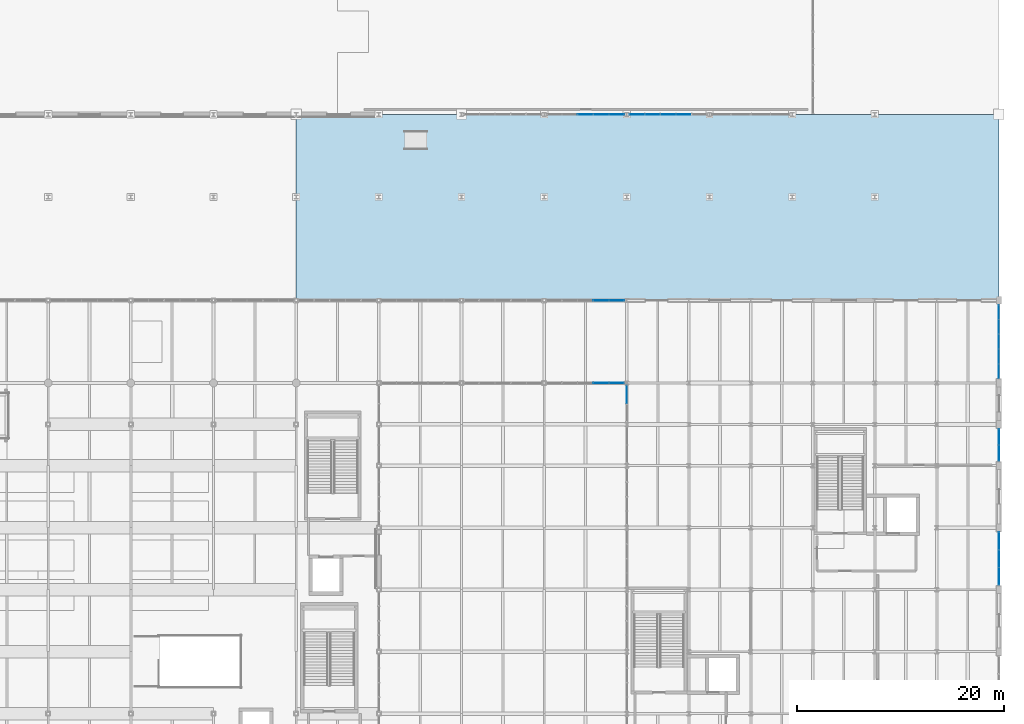
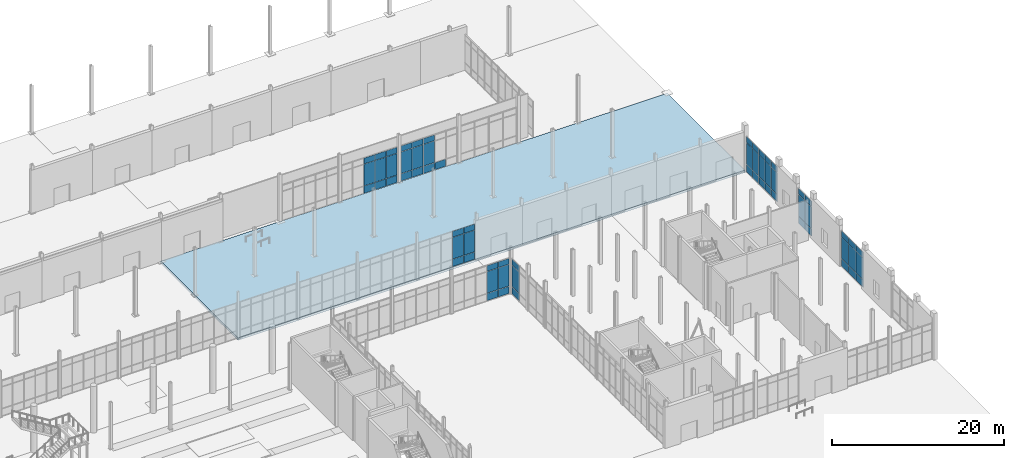
# One storey, part 108 of 140: 64 plates, 1 slab, 8 elements without a shape of their own.
"""IFC4 building model written with IfcOpenShell, lengths in metres."""

import ifcopenshell
import ifcopenshell.guid

model = None  # the IFC model being written
_history = None  # IfcOwnerHistory: only IFC2X3 demands one
_inside = {}  # id of a spatial element -> (the spatial element, [elements in it])
_under = {}  # id of a project, library or spatial element -> (it, [spatial elements below it])
_declared = {}  # id of a project -> (the project, [libraries it declares])
_typed = {}  # id of a type object -> (the type object, [elements of that type])
_made_of = {}  # id of a material, layer set ... -> (it, [elements and type objects made of it])


def new_model(schema):
    """Start an empty IFC model of exactly this schema.

    Asked for "IFC4X3", IfcOpenShell would pick the latest addendum, in which some entities
    have other attributes; the version numbers below select the first issue.
    IFC2X3 requires an IfcOwnerHistory on every rooted entity: one is made here for all.
    """
    global model, _history
    if schema == "IFC4X3":
        model = ifcopenshell.file(schema_version=(4, 3, 0, 0))
    else:
        model = ifcopenshell.file(schema=schema)
    _inside.clear()
    _under.clear()
    _declared.clear()
    _typed.clear()
    _made_of.clear()
    _history = None
    if model.schema == "IFC2X3":
        org = make("IfcOrganization", Name="unknown")
        user = make(
            "IfcPersonAndOrganization",
            ThePerson=make("IfcPerson", FamilyName="unknown"),
            TheOrganization=org,
        )
        app = make(
            "IfcApplication",
            ApplicationDeveloper=org,
            Version="unknown",
            ApplicationFullName="unknown",
            ApplicationIdentifier="unknown",
        )
        _history = make(
            "IfcOwnerHistory",
            OwningUser=user,
            OwningApplication=app,
            ChangeAction="ADDED",
            CreationDate=0,
        )
    return model


def make(cls, **values):
    """One entity of the class cls with the attributes given. An attribute that is None is left unset."""
    return model.create_entity(
        cls, **{name: value for name, value in values.items() if value is not None}
    )


def rooted(cls, **values):
    """An entity with a GlobalId (a new one), such as an element, a storey or a relation."""
    return make(cls, GlobalId=ifcopenshell.guid.new(), OwnerHistory=_history, **values)


def si_unit(unit_type, name, prefix=None):
    """IfcSIUnit, for example si_unit("LENGTHUNIT", "METRE", prefix="MILLI")."""
    return make("IfcSIUnit", UnitType=unit_type, Prefix=prefix, Name=name)


def assignment(units):
    """IfcUnitAssignment: the units of a project."""
    return None if units is None else make("IfcUnitAssignment", Units=units)


def point(xyz):
    """IfcCartesianPoint."""
    return None if xyz is None else make("IfcCartesianPoint", Coordinates=xyz)


def direction(xyz):
    """IfcDirection."""
    return None if xyz is None else make("IfcDirection", DirectionRatios=xyz)


def frame(location, z_axis=None, x_axis=None):
    """IfcAxis2Placement3D, a coordinate frame: its origin and axes. An axis left out is left unset."""
    return make(
        "IfcAxis2Placement3D",
        Location=point(location),
        Axis=direction(z_axis),
        RefDirection=direction(x_axis),
    )


def frame_2d(location, x_axis=None):
    """IfcAxis2Placement2D, a coordinate frame in the plane: its origin and x axis."""
    return make(
        "IfcAxis2Placement2D", Location=point(location), RefDirection=direction(x_axis)
    )


def origin():
    """The frame at (0, 0, 0) with its axes left unset."""
    return frame((0.0, 0.0, 0.0))


def origin_2d():
    """The frame at (0, 0) in the plane with its x axis left unset."""
    return frame_2d((0.0, 0.0))


def place(relative_to, where):
    """IfcLocalPlacement: puts the frame where relative to a parent placement (None: the world)."""
    return make(
        "IfcLocalPlacement", PlacementRelTo=relative_to, RelativePlacement=where
    )


def context(
    kind, dimensions, precision=None, world=None, true_north=None, identifier=None
):
    """IfcGeometricRepresentationContext, for example the 3D "Model" context."""
    return make(
        "IfcGeometricRepresentationContext",
        ContextIdentifier=identifier,
        ContextType=kind,
        CoordinateSpaceDimension=dimensions,
        Precision=precision,
        WorldCoordinateSystem=world,
        TrueNorth=true_north,
    )


def subcontext(parent, identifier, kind, view, scale=None):
    """IfcGeometricRepresentationSubContext, for example "Body" below "Model"."""
    return make(
        "IfcGeometricRepresentationSubContext",
        ContextIdentifier=identifier,
        ContextType=kind,
        ParentContext=parent,
        TargetScale=scale,
        TargetView=view,
    )


def project(units=None, contexts=None):
    """IfcProject with its units and contexts."""
    return rooted(
        "IfcProject",
        Name="project",
        RepresentationContexts=contexts,
        UnitsInContext=assignment(units),
    )


def spatial(cls, under=None, at=None, **own):
    """A site, building, storey or space (cls), placed at a placement, below another one or the project."""
    s = rooted(cls, ObjectPlacement=at, **own)
    if under is not None:
        _under.setdefault(under.id(), (under, []))[1].append(s)
    return s


def polyline(points):
    """IfcPolyline through the points."""
    return make("IfcPolyline", Points=[point(p) for p in points])


def profile(cls, at=None, kind="AREA", **sizes):
    """A parametric profile (cls). Its sizes go by their IFC names, for example OverallWidth=200.0."""
    return make(cls, ProfileType=kind, Position=at, **sizes)


def rectangle(**sizes):
    """IfcRectangleProfileDef."""
    return profile("IfcRectangleProfileDef", **sizes)


def outline(outer, holes=None, kind="AREA"):
    """IfcArbitraryClosedProfileDef: a profile drawn as a closed curve; with holes, ...WithVoids."""
    if holes is None:
        return make("IfcArbitraryClosedProfileDef", ProfileType=kind, OuterCurve=outer)
    return make(
        "IfcArbitraryProfileDefWithVoids",
        ProfileType=kind,
        OuterCurve=outer,
        InnerCurves=holes,
    )


def extrude(swept, where, along, depth):
    """IfcExtrudedAreaSolid: the profile swept, set in the frame where, extruded along a direction by depth."""
    return make(
        "IfcExtrudedAreaSolid",
        SweptArea=swept,
        Position=where,
        ExtrudedDirection=direction(along),
        Depth=depth,
    )


def shape(context_of_items, identifier, shape_type, items):
    """IfcShapeRepresentation: the items that make up one representation, for example the "Body"."""
    return make(
        "IfcShapeRepresentation",
        ContextOfItems=context_of_items,
        RepresentationIdentifier=identifier,
        RepresentationType=shape_type,
        Items=items,
    )


def material(Name=None, Category=None):
    """IfcMaterial."""
    return make("IfcMaterial", Name=Name, Category=Category)


def layer(
    of_material, thickness, ventilated=None, Name=None, Category=None, Priority=None
):
    """IfcMaterialLayer: one layer of a wall or slab, of a material (None: an air gap)."""
    return make(
        "IfcMaterialLayer",
        Material=of_material,
        LayerThickness=thickness,
        IsVentilated=ventilated,
        Name=Name,
        Category=Category,
        Priority=Priority,
    )


def layer_set(layers, Name=None):
    """IfcMaterialLayerSet."""
    return make("IfcMaterialLayerSet", MaterialLayers=layers, LayerSetName=Name)


def made_of(thing, what):
    """Note that an element or type object is made of a material, layer set ...; save() writes the relation."""
    if what is not None:
        _made_of.setdefault(what.id(), (what, []))[1].append(thing)
    return thing


def type_object(cls, material=None, **own):
    """A type object (cls), such as IfcWallType, which elements share."""
    return made_of(rooted(cls, **own), material)


def element(
    cls,
    number,
    at=None,
    inside=None,
    cuts=None,
    type_object=None,
    material=None,
    context=None,
    identifier="Body",
    shape_type=None,
    held_by="IfcProductDefinitionShape",
    body=None,
    shapes=None,
    **own,
):
    """One element of the class cls, such as IfcWall. Its Tag is "e" and its number.

    at: its placement. inside: the storey or other place that contains it. cuts: it is an
    opening in that element (IfcRelVoidsElement). A single representation is given by context,
    identifier, shape_type and body (its items); several are given by shapes. held_by: the class
    of the entity that holds the representations. save() writes the other relations.
    """
    e = rooted(cls, Tag="e%d" % number, ObjectPlacement=at, **own)
    if body is not None:
        shapes = [shape(context, identifier, shape_type, body)]
    if shapes is not None:
        e.Representation = make(held_by, Representations=shapes)
    if inside is not None:
        _inside.setdefault(inside.id(), (inside, []))[1].append(e)
    if cuts is not None:
        rooted(
            "IfcRelVoidsElement", RelatingBuildingElement=cuts, RelatedOpeningElement=e
        )
    if type_object is not None:
        _typed.setdefault(type_object.id(), (type_object, []))[1].append(e)
    return made_of(e, material)


def aggregate(whole, parts):
    """IfcRelAggregates: a whole, such as a stair, and the parts it consists of."""
    return rooted("IfcRelAggregates", RelatingObject=whole, RelatedObjects=parts)


def save(model, path):
    """Write the relations noted so far, then the file.

    IfcRelAggregates (storeys below a building ...), IfcRelContainedInSpatialStructure (elements
    in a storey), IfcRelDefinesByType, IfcRelAssociatesMaterial and IfcRelDeclares: one each for
    every whole, place, type object, material and project.
    """
    for whole, parts in _under.values():
        aggregate(whole, parts)
    for where, things in _inside.values():
        rooted(
            "IfcRelContainedInSpatialStructure",
            RelatedElements=things,
            RelatingStructure=where,
        )
    for kind, things in _typed.values():
        rooted("IfcRelDefinesByType", RelatedObjects=things, RelatingType=kind)
    for what, things in _made_of.values():
        rooted("IfcRelAssociatesMaterial", RelatedObjects=things, RelatingMaterial=what)
    for by, libraries in _declared.values():
        rooted("IfcRelDeclares", RelatingContext=by, RelatedDefinitions=libraries)
    model.write(path)


model = new_model("IFC4")

# Units and contexts
model_context = context("Model", 3, precision=1e-05, world=origin(), true_north=direction((0.0, 1.0)))
body_context = subcontext(model_context, "Body", "Model", "MODEL_VIEW")
ifc_project = project(units=[si_unit("LENGTHUNIT", "METRE"), si_unit("AREAUNIT", "SQUARE_METRE"), si_unit("VOLUMEUNIT", "CUBIC_METRE"), si_unit("PLANEANGLEUNIT", "RADIAN"), si_unit("MASSUNIT", "GRAM", prefix="KILO")], contexts=[model_context])

# Site, building, storey
site_placement = place(None, origin())
site = spatial("IfcSite", under=ifc_project, at=site_placement, CompositionType="ELEMENT")
building_placement = place(site_placement, origin())
building = spatial("IfcBuilding", under=site, at=building_placement, Name="Verrall Gate Interchange", CompositionType="ELEMENT")
storey_placement = place(building_placement, origin())
storey = spatial("IfcBuildingStorey", under=building, at=storey_placement, Name="L01", CompositionType="ELEMENT", Elevation=0.0)

# Curtain wall, plates
ifc_material_1 = material(Name="Thermally Broken Anodized Aluminium Curtain Wall Framing", Category="aluminium")
curtain_wall_type_1 = type_object("IfcCurtainWallType", Name="CW-06 Unitized Curtain Wall 7631x5100", PredefinedType="NOTDEFINED", material=ifc_material_1)
curtain_wall_1_placement = place(storey_placement, origin())
curtain_wall_1 = element("IfcCurtainWall", 1, at=curtain_wall_1_placement, inside=storey, type_object=curtain_wall_type_1, Name="L01 Unitized Curtain Wall CW-L01-012", PredefinedType="NOTDEFINED")
ifc_material_2 = material(Name="Triple-Glazed Low-E Argon Insulated Curtain Panel (U=1.45)", Category="glass")
ifc_layer_1 = layer(ifc_material_2, 0.030029296875)
ifc_layer_set_1 = layer_set([ifc_layer_1], Name="Triple-Glazed Low-E Argon Insulated Curtain Panel (U=1.45)")
plate_type_1 = type_object("IfcPlateType", Name="CP-01 Curtain Glazing Panel 30", PredefinedType="CURTAIN_PANEL", material=ifc_layer_set_1)
plate_1_placement = place(storey_placement, frame((131.00732421875, 56.0, 0.0546875), z_axis=(0.0, 0.0, 1.0), x_axis=(-1.0, 0.0, 0.0)))
plate_1 = element("IfcPlate", 2, at=plate_1_placement, type_object=plate_type_1, Name="CW-L01-012 Glazing Panel 1.1", PredefinedType="CURTAIN_PANEL", context=body_context, shape_type="SweptSolid", body=[
    extrude(rectangle(XDim=1.443115234375, YDim=0.030029296875, at=origin_2d()), origin(), (0.0, 0.0, 1.0), 1.023193359375),
])
plate_2_placement = place(storey_placement, frame((131.00732421875, 56.0, 1.1220703125), z_axis=(0.0, 0.0, 1.0), x_axis=(-1.0, 0.0, 0.0)))
plate_2 = element("IfcPlate", 3, at=plate_2_placement, type_object=plate_type_1, Name="CW-L01-012 Glazing Panel 1.2", PredefinedType="CURTAIN_PANEL", context=body_context, shape_type="SweptSolid", body=[
    extrude(rectangle(XDim=1.443115234375, YDim=0.030029296875, at=origin_2d()), origin(), (0.0, 0.0, 1.0), 3.055908203125),
])
plate_3_placement = place(storey_placement, frame((131.00732421875, 56.0, 4.22216796875), z_axis=(0.0, 0.0, 1.0), x_axis=(-1.0, 0.0, 0.0)))
plate_3 = element("IfcPlate", 4, at=plate_3_placement, type_object=plate_type_1, Name="CW-L01-012 Glazing Panel 1.3", PredefinedType="CURTAIN_PANEL", context=body_context, shape_type="SweptSolid", body=[
    extrude(rectangle(XDim=1.443115234375, YDim=0.030029296875, at=origin_2d()), origin(), (0.0, 0.0, 1.0), 0.8232421875),
])
plate_4_placement = place(storey_placement, frame((129.50390625, 56.0, 0.0546875), z_axis=(0.0, 0.0, 1.0), x_axis=(-1.0, 0.0, 0.0)))
plate_4 = element("IfcPlate", 5, at=plate_4_placement, type_object=plate_type_1, Name="CW-L01-012 Glazing Panel 2.1", PredefinedType="CURTAIN_PANEL", context=body_context, shape_type="SweptSolid", body=[
    extrude(rectangle(XDim=1.4755859375, YDim=0.030029296875, at=origin_2d()), origin(), (0.0, 0.0, 1.0), 1.023193359375),
])
plate_5_placement = place(storey_placement, frame((129.50390625, 56.0, 1.1220703125), z_axis=(0.0, 0.0, 1.0), x_axis=(-1.0, 0.0, 0.0)))
plate_5 = element("IfcPlate", 6, at=plate_5_placement, type_object=plate_type_1, Name="CW-L01-012 Glazing Panel 2.2", PredefinedType="CURTAIN_PANEL", context=body_context, shape_type="SweptSolid", body=[
    extrude(rectangle(XDim=1.4755859375, YDim=0.030029296875, at=origin_2d()), origin(), (0.0, 0.0, 1.0), 3.055908203125),
])
plate_6_placement = place(storey_placement, frame((129.50390625, 56.0, 4.22216796875), z_axis=(0.0, 0.0, 1.0), x_axis=(-1.0, 0.0, 0.0)))
plate_6 = element("IfcPlate", 7, at=plate_6_placement, type_object=plate_type_1, Name="CW-L01-012 Glazing Panel 2.3", PredefinedType="CURTAIN_PANEL", context=body_context, shape_type="SweptSolid", body=[
    extrude(rectangle(XDim=1.4755859375, YDim=0.030029296875, at=origin_2d()), origin(), (0.0, 0.0, 1.0), 0.8232421875),
])
aggregate(curtain_wall_1, [plate_1, plate_2, plate_3, plate_4, plate_5, plate_6])

ifc_material_3 = material(Name="Thermally Broken Anodized Aluminium Curtain Wall Framing", Category="aluminium")
curtain_wall_type_2 = type_object("IfcCurtainWallType", Name="CW-13 Unitized Curtain Wall 7186x5100", PredefinedType="NOTDEFINED", material=ifc_material_3)
curtain_wall_2_placement = place(storey_placement, origin())
curtain_wall_2 = element("IfcCurtainWall", 8, at=curtain_wall_2_placement, inside=storey, type_object=curtain_wall_type_2, Name="L01 Unitized Curtain Wall CW-L01-044", PredefinedType="NOTDEFINED")
plate_7_placement = place(storey_placement, frame((168.0, 49.141845703125, 0.0546875), z_axis=(0.0, 0.0, 1.0), x_axis=(0.0, 1.0, 0.0)))
plate_7 = element("IfcPlate", 9, at=plate_7_placement, type_object=plate_type_1, Name="CW-L01-044 Glazing Panel 1.1", PredefinedType="CURTAIN_PANEL", context=body_context, shape_type="SweptSolid", body=[
    extrude(rectangle(XDim=1.360595703125, YDim=0.030029296875, at=origin_2d()), origin(), (0.0, 0.0, 1.0), 1.023193359375),
])
plate_8_placement = place(storey_placement, frame((168.0, 49.141845703125, 1.1220703125), z_axis=(0.0, 0.0, 1.0), x_axis=(0.0, 1.0, 0.0)))
plate_8 = element("IfcPlate", 10, at=plate_8_placement, type_object=plate_type_1, Name="CW-L01-044 Glazing Panel 1.2", PredefinedType="CURTAIN_PANEL", context=body_context, shape_type="SweptSolid", body=[
    extrude(rectangle(XDim=1.360595703125, YDim=0.030029296875, at=origin_2d()), origin(), (0.0, 0.0, 1.0), 3.055908203125),
])
plate_9_placement = place(storey_placement, frame((168.0, 49.141845703125, 4.22216796875), z_axis=(0.0, 0.0, 1.0), x_axis=(0.0, 1.0, 0.0)))
plate_9 = element("IfcPlate", 11, at=plate_9_placement, type_object=plate_type_1, Name="CW-L01-044 Glazing Panel 1.3", PredefinedType="CURTAIN_PANEL", context=body_context, shape_type="SweptSolid", body=[
    extrude(rectangle(XDim=1.360595703125, YDim=0.030029296875, at=origin_2d()), origin(), (0.0, 0.0, 1.0), 0.8232421875),
])
plate_10_placement = place(storey_placement, frame((168.0, 50.562744140625, 0.0546875), z_axis=(0.0, 0.0, 1.0), x_axis=(0.0, 1.0, 0.0)))
plate_10 = element("IfcPlate", 12, at=plate_10_placement, type_object=plate_type_1, Name="CW-L01-044 Glazing Panel 2.1", PredefinedType="CURTAIN_PANEL", context=body_context, shape_type="SweptSolid", body=[
    extrude(rectangle(XDim=1.39306640625, YDim=0.030029296875, at=origin_2d()), origin(), (0.0, 0.0, 1.0), 1.023193359375),
])
plate_11_placement = place(storey_placement, frame((168.0, 50.562744140625, 1.1220703125), z_axis=(0.0, 0.0, 1.0), x_axis=(0.0, 1.0, 0.0)))
plate_11 = element("IfcPlate", 13, at=plate_11_placement, type_object=plate_type_1, Name="CW-L01-044 Glazing Panel 2.2", PredefinedType="CURTAIN_PANEL", context=body_context, shape_type="SweptSolid", body=[
    extrude(rectangle(XDim=1.39306640625, YDim=0.030029296875, at=origin_2d()), origin(), (0.0, 0.0, 1.0), 3.055908203125),
])
plate_12_placement = place(storey_placement, frame((168.0, 50.562744140625, 4.22216796875), z_axis=(0.0, 0.0, 1.0), x_axis=(0.0, 1.0, 0.0)))
plate_12 = element("IfcPlate", 14, at=plate_12_placement, type_object=plate_type_1, Name="CW-L01-044 Glazing Panel 2.3", PredefinedType="CURTAIN_PANEL", context=body_context, shape_type="SweptSolid", body=[
    extrude(rectangle(XDim=1.39306640625, YDim=0.030029296875, at=origin_2d()), origin(), (0.0, 0.0, 1.0), 0.8232421875),
])
plate_13_placement = place(storey_placement, frame((168.0, 52.0, 0.0546875), z_axis=(0.0, 0.0, 1.0), x_axis=(0.0, 1.0, 0.0)))
plate_13 = element("IfcPlate", 15, at=plate_13_placement, type_object=plate_type_1, Name="CW-L01-044 Glazing Panel 3.1", PredefinedType="CURTAIN_PANEL", context=body_context, shape_type="SweptSolid", body=[
    extrude(rectangle(XDim=1.39306640625, YDim=0.030029296875, at=origin_2d()), origin(), (0.0, 0.0, 1.0), 1.023193359375),
])
plate_14_placement = place(storey_placement, frame((168.0, 52.0, 1.1220703125), z_axis=(0.0, 0.0, 1.0), x_axis=(0.0, 1.0, 0.0)))
plate_14 = element("IfcPlate", 16, at=plate_14_placement, type_object=plate_type_1, Name="CW-L01-044 Glazing Panel 3.2", PredefinedType="CURTAIN_PANEL", context=body_context, shape_type="SweptSolid", body=[
    extrude(rectangle(XDim=1.39306640625, YDim=0.030029296875, at=origin_2d()), origin(), (0.0, 0.0, 1.0), 3.055908203125),
])
plate_15_placement = place(storey_placement, frame((168.0, 52.0, 4.22216796875), z_axis=(0.0, 0.0, 1.0), x_axis=(0.0, 1.0, 0.0)))
plate_15 = element("IfcPlate", 17, at=plate_15_placement, type_object=plate_type_1, Name="CW-L01-044 Glazing Panel 3.3", PredefinedType="CURTAIN_PANEL", context=body_context, shape_type="SweptSolid", body=[
    extrude(rectangle(XDim=1.39306640625, YDim=0.030029296875, at=origin_2d()), origin(), (0.0, 0.0, 1.0), 0.8232421875),
])
plate_16_placement = place(storey_placement, frame((168.0, 53.437255859375, 0.0546875), z_axis=(0.0, 0.0, 1.0), x_axis=(0.0, 1.0, 0.0)))
plate_16 = element("IfcPlate", 18, at=plate_16_placement, type_object=plate_type_1, Name="CW-L01-044 Glazing Panel 4.1", PredefinedType="CURTAIN_PANEL", context=body_context, shape_type="SweptSolid", body=[
    extrude(rectangle(XDim=1.39306640625, YDim=0.030029296875, at=origin_2d()), origin(), (0.0, 0.0, 1.0), 1.023193359375),
])
plate_17_placement = place(storey_placement, frame((168.0, 53.437255859375, 1.1220703125), z_axis=(0.0, 0.0, 1.0), x_axis=(0.0, 1.0, 0.0)))
plate_17 = element("IfcPlate", 19, at=plate_17_placement, type_object=plate_type_1, Name="CW-L01-044 Glazing Panel 4.2", PredefinedType="CURTAIN_PANEL", context=body_context, shape_type="SweptSolid", body=[
    extrude(rectangle(XDim=1.39306640625, YDim=0.030029296875, at=origin_2d()), origin(), (0.0, 0.0, 1.0), 3.055908203125),
])
plate_18_placement = place(storey_placement, frame((168.0, 53.437255859375, 4.22216796875), z_axis=(0.0, 0.0, 1.0), x_axis=(0.0, 1.0, 0.0)))
plate_18 = element("IfcPlate", 20, at=plate_18_placement, type_object=plate_type_1, Name="CW-L01-044 Glazing Panel 4.3", PredefinedType="CURTAIN_PANEL", context=body_context, shape_type="SweptSolid", body=[
    extrude(rectangle(XDim=1.39306640625, YDim=0.030029296875, at=origin_2d()), origin(), (0.0, 0.0, 1.0), 0.8232421875),
])
plate_19_placement = place(storey_placement, frame((168.0, 54.858154296875, 0.0546875), z_axis=(0.0, 0.0, 1.0), x_axis=(0.0, 1.0, 0.0)))
plate_19 = element("IfcPlate", 21, at=plate_19_placement, type_object=plate_type_1, Name="CW-L01-044 Glazing Panel 5.1", PredefinedType="CURTAIN_PANEL", context=body_context, shape_type="SweptSolid", body=[
    extrude(rectangle(XDim=1.360595703125, YDim=0.030029296875, at=origin_2d()), origin(), (0.0, 0.0, 1.0), 1.023193359375),
])
plate_20_placement = place(storey_placement, frame((168.0, 54.858154296875, 1.1220703125), z_axis=(0.0, 0.0, 1.0), x_axis=(0.0, 1.0, 0.0)))
plate_20 = element("IfcPlate", 22, at=plate_20_placement, type_object=plate_type_1, Name="CW-L01-044 Glazing Panel 5.2", PredefinedType="CURTAIN_PANEL", context=body_context, shape_type="SweptSolid", body=[
    extrude(rectangle(XDim=1.360595703125, YDim=0.030029296875, at=origin_2d()), origin(), (0.0, 0.0, 1.0), 3.055908203125),
])
plate_21_placement = place(storey_placement, frame((168.0, 54.858154296875, 4.22216796875), z_axis=(0.0, 0.0, 1.0), x_axis=(0.0, 1.0, 0.0)))
plate_21 = element("IfcPlate", 23, at=plate_21_placement, type_object=plate_type_1, Name="CW-L01-044 Glazing Panel 5.3", PredefinedType="CURTAIN_PANEL", context=body_context, shape_type="SweptSolid", body=[
    extrude(rectangle(XDim=1.360595703125, YDim=0.030029296875, at=origin_2d()), origin(), (0.0, 0.0, 1.0), 0.8232421875),
])
aggregate(curtain_wall_2, [plate_7, plate_8, plate_9, plate_10, plate_11, plate_12, plate_13, plate_14, plate_15, plate_16, plate_17, plate_18, plate_19, plate_20, plate_21])

ifc_material_4 = material(Name="Thermally Broken Anodized Aluminium Curtain Wall Framing", Category="aluminium")
curtain_wall_type_3 = type_object("IfcCurtainWallType", Name="CW-05 Unitized Curtain Wall 3631x5100", PredefinedType="NOTDEFINED", material=ifc_material_4)
curtain_wall_3_placement = place(storey_placement, origin())
curtain_wall_3 = element("IfcCurtainWall", 24, at=curtain_wall_3_placement, inside=storey, type_object=curtain_wall_type_3, Name="L01 Unitized Curtain Wall CW-L01-045", PredefinedType="NOTDEFINED")
plate_22_placement = place(storey_placement, frame((132.0, 46.876220703125, 0.06298828125), z_axis=(0.0, 0.0, 1.0), x_axis=(0.0, -1.0, 0.0)))
plate_22 = element("IfcPlate", 25, at=plate_22_placement, type_object=plate_type_1, Name="CW-L01-045 Glazing Panel 1.1", PredefinedType="CURTAIN_PANEL", context=body_context, shape_type="SweptSolid", body=[
    extrude(rectangle(XDim=1.701416015625, YDim=0.030029296875, at=origin_2d()), origin(), (0.0, 0.0, 1.0), 1.011474609375),
])
plate_23_placement = place(storey_placement, frame((132.0, 46.876220703125, 1.12548828125), z_axis=(0.0, 0.0, 1.0), x_axis=(0.0, -1.0, 0.0)))
plate_23 = element("IfcPlate", 26, at=plate_23_placement, type_object=plate_type_1, Name="CW-L01-045 Glazing Panel 1.2", PredefinedType="CURTAIN_PANEL", context=body_context, shape_type="SweptSolid", body=[
    extrude(rectangle(XDim=1.701416015625, YDim=0.030029296875, at=origin_2d()), origin(), (0.0, 0.0, 1.0), 3.049072265625),
])
plate_24_placement = place(storey_placement, frame((132.0, 46.876220703125, 4.225341796875), z_axis=(0.0, 0.0, 1.0), x_axis=(0.0, -1.0, 0.0)))
plate_24 = element("IfcPlate", 27, at=plate_24_placement, type_object=plate_type_1, Name="CW-L01-045 Glazing Panel 1.3", PredefinedType="CURTAIN_PANEL", context=body_context, shape_type="SweptSolid", body=[
    extrude(rectangle(XDim=1.701416015625, YDim=0.030029296875, at=origin_2d()), origin(), (0.0, 0.0, 1.0), 0.8115234375),
])
aggregate(curtain_wall_3, [plate_22, plate_23, plate_24])

curtain_wall_4_placement = place(storey_placement, origin())
curtain_wall_4 = element("IfcCurtainWall", 28, at=curtain_wall_4_placement, inside=storey, type_object=curtain_wall_type_1, Name="L01 Unitized Curtain Wall CW-L01-011", PredefinedType="NOTDEFINED")
ifc_material_5 = material(Name="Triple-Glazed Low-E Argon Insulated Curtain Panel (U=1.45)", Category="glass")
ifc_layer_2 = layer(ifc_material_5, 0.0400390625)
ifc_layer_set_2 = layer_set([ifc_layer_2], Name="Triple-Glazed Low-E Argon Insulated Curtain Panel (U=1.45)")
plate_type_2 = type_object("IfcPlateType", Name="CP-02 Curtain Glazing Panel 40", PredefinedType="CURTAIN_PANEL", material=ifc_layer_set_2)
plate_25_placement = place(storey_placement, frame((129.50390625, 48.0, 0.06298828125), z_axis=(0.0, 0.0, 1.0), x_axis=(1.0, 0.0, 0.0)))
plate_25 = element("IfcPlate", 29, at=plate_25_placement, type_object=plate_type_2, Name="CW-L01-011 Glazing Panel 4.1", PredefinedType="CURTAIN_PANEL", context=body_context, shape_type="SweptSolid", body=[
    extrude(rectangle(XDim=1.46875, YDim=0.0400390625, at=origin_2d()), origin(), (0.0, 0.0, 1.0), 1.011474609375),
])
plate_26_placement = place(storey_placement, frame((129.50390625, 48.0, 1.12548828125), z_axis=(0.0, 0.0, 1.0), x_axis=(1.0, 0.0, 0.0)))
plate_26 = element("IfcPlate", 30, at=plate_26_placement, type_object=plate_type_2, Name="CW-L01-011 Glazing Panel 4.2", PredefinedType="CURTAIN_PANEL", context=body_context, shape_type="SweptSolid", body=[
    extrude(rectangle(XDim=1.46875, YDim=0.0400390625, at=origin_2d()), origin(), (0.0, 0.0, 1.0), 3.049072265625),
])
plate_27_placement = place(storey_placement, frame((129.50390625, 48.0, 4.225341796875), z_axis=(0.0, 0.0, 1.0), x_axis=(1.0, 0.0, 0.0)))
plate_27 = element("IfcPlate", 31, at=plate_27_placement, type_object=plate_type_2, Name="CW-L01-011 Glazing Panel 4.3", PredefinedType="CURTAIN_PANEL", context=body_context, shape_type="SweptSolid", body=[
    extrude(rectangle(XDim=1.46875, YDim=0.0400390625, at=origin_2d()), origin(), (0.0, 0.0, 1.0), 0.8115234375),
])
plate_28_placement = place(storey_placement, frame((131.0048828125, 48.0, 0.06298828125), z_axis=(0.0, 0.0, 1.0), x_axis=(1.0, 0.0, 0.0)))
plate_28 = element("IfcPlate", 32, at=plate_28_placement, type_object=plate_type_2, Name="CW-L01-011 Glazing Panel 5.1", PredefinedType="CURTAIN_PANEL", context=body_context, shape_type="SweptSolid", body=[
    extrude(rectangle(XDim=1.431396484375, YDim=0.0400390625, at=origin_2d()), origin(), (0.0, 0.0, 1.0), 1.011474609375),
])
plate_29_placement = place(storey_placement, frame((131.0048828125, 48.0, 1.12548828125), z_axis=(0.0, 0.0, 1.0), x_axis=(1.0, 0.0, 0.0)))
plate_29 = element("IfcPlate", 33, at=plate_29_placement, type_object=plate_type_2, Name="CW-L01-011 Glazing Panel 5.2", PredefinedType="CURTAIN_PANEL", context=body_context, shape_type="SweptSolid", body=[
    extrude(rectangle(XDim=1.431396484375, YDim=0.0400390625, at=origin_2d()), origin(), (0.0, 0.0, 1.0), 3.049072265625),
])
plate_30_placement = place(storey_placement, frame((131.0048828125, 48.0, 4.225341796875), z_axis=(0.0, 0.0, 1.0), x_axis=(1.0, 0.0, 0.0)))
plate_30 = element("IfcPlate", 34, at=plate_30_placement, type_object=plate_type_2, Name="CW-L01-011 Glazing Panel 5.3", PredefinedType="CURTAIN_PANEL", context=body_context, shape_type="SweptSolid", body=[
    extrude(rectangle(XDim=1.431396484375, YDim=0.0400390625, at=origin_2d()), origin(), (0.0, 0.0, 1.0), 0.8115234375),
])
aggregate(curtain_wall_4, [plate_25, plate_26, plate_27, plate_28, plate_29, plate_30])

curtain_wall_5_placement = place(storey_placement, origin())
curtain_wall_5 = element("IfcCurtainWall", 35, at=curtain_wall_5_placement, inside=storey, type_object=curtain_wall_type_1, Name="L01 Unitized Curtain Wall CW-L01-026", PredefinedType="NOTDEFINED")
plate_31_placement = place(storey_placement, frame((128.0, 74.0, 0.0546875), z_axis=(0.0, 0.0, 1.0), x_axis=(1.0, 0.0, 0.0)))
plate_31 = element("IfcPlate", 36, at=plate_31_placement, type_object=plate_type_2, Name="CW-L01-026 Glazing Panel 3.1", PredefinedType="CURTAIN_PANEL", context=body_context, shape_type="SweptSolid", body=[
    extrude(rectangle(XDim=1.46923828125, YDim=0.0400390625, at=origin_2d()), origin(), (0.0, 0.0, 1.0), 1.023193359375),
])
plate_32_placement = place(storey_placement, frame((128.0, 74.0, 1.1220703125), z_axis=(0.0, 0.0, 1.0), x_axis=(1.0, 0.0, 0.0)))
plate_32 = element("IfcPlate", 37, at=plate_32_placement, type_object=plate_type_2, Name="CW-L01-026 Glazing Panel 3.2", PredefinedType="CURTAIN_PANEL", context=body_context, shape_type="SweptSolid", body=[
    extrude(rectangle(XDim=1.46923828125, YDim=0.0400390625, at=origin_2d()), origin(), (0.0, 0.0, 1.0), 3.055908203125),
])
plate_33_placement = place(storey_placement, frame((128.0, 74.0, 4.22216796875), z_axis=(0.0, 0.0, 1.0), x_axis=(1.0, 0.0, 0.0)))
plate_33 = element("IfcPlate", 38, at=plate_33_placement, type_object=plate_type_2, Name="CW-L01-026 Glazing Panel 3.3", PredefinedType="CURTAIN_PANEL", context=body_context, shape_type="SweptSolid", body=[
    extrude(rectangle(XDim=1.46923828125, YDim=0.0400390625, at=origin_2d()), origin(), (0.0, 0.0, 1.0), 0.8232421875),
])
plate_34_placement = place(storey_placement, frame((129.513427734375, 74.0, 0.0546875), z_axis=(0.0, 0.0, 1.0), x_axis=(1.0, 0.0, 0.0)))
plate_34 = element("IfcPlate", 39, at=plate_34_placement, type_object=plate_type_2, Name="CW-L01-026 Glazing Panel 4.1", PredefinedType="CURTAIN_PANEL", context=body_context, shape_type="SweptSolid", body=[
    extrude(rectangle(XDim=1.46923828125, YDim=0.0400390625, at=origin_2d()), origin(), (0.0, 0.0, 1.0), 1.023193359375),
])
plate_35_placement = place(storey_placement, frame((129.513427734375, 74.0, 1.1220703125), z_axis=(0.0, 0.0, 1.0), x_axis=(1.0, 0.0, 0.0)))
plate_35 = element("IfcPlate", 40, at=plate_35_placement, type_object=plate_type_2, Name="CW-L01-026 Glazing Panel 4.2", PredefinedType="CURTAIN_PANEL", context=body_context, shape_type="SweptSolid", body=[
    extrude(rectangle(XDim=1.46923828125, YDim=0.0400390625, at=origin_2d()), origin(), (0.0, 0.0, 1.0), 3.055908203125),
])
plate_36_placement = place(storey_placement, frame((129.513427734375, 74.0, 4.22216796875), z_axis=(0.0, 0.0, 1.0), x_axis=(1.0, 0.0, 0.0)))
plate_36 = element("IfcPlate", 41, at=plate_36_placement, type_object=plate_type_2, Name="CW-L01-026 Glazing Panel 4.3", PredefinedType="CURTAIN_PANEL", context=body_context, shape_type="SweptSolid", body=[
    extrude(rectangle(XDim=1.46923828125, YDim=0.0400390625, at=origin_2d()), origin(), (0.0, 0.0, 1.0), 0.8232421875),
])
plate_37_placement = place(storey_placement, frame((131.010498046875, 74.0, 0.0546875), z_axis=(0.0, 0.0, 1.0), x_axis=(1.0, 0.0, 0.0)))
plate_37 = element("IfcPlate", 42, at=plate_37_placement, type_object=plate_type_2, Name="CW-L01-026 Glazing Panel 5.1", PredefinedType="CURTAIN_PANEL", context=body_context, shape_type="SweptSolid", body=[
    extrude(rectangle(XDim=1.436767578125, YDim=0.0400390625, at=origin_2d()), origin(), (0.0, 0.0, 1.0), 1.023193359375),
])
plate_38_placement = place(storey_placement, frame((131.010498046875, 74.0, 1.1220703125), z_axis=(0.0, 0.0, 1.0), x_axis=(1.0, 0.0, 0.0)))
plate_38 = element("IfcPlate", 43, at=plate_38_placement, type_object=plate_type_2, Name="CW-L01-026 Glazing Panel 5.2", PredefinedType="CURTAIN_PANEL", context=body_context, shape_type="SweptSolid", body=[
    extrude(rectangle(XDim=1.436767578125, YDim=0.0400390625, at=origin_2d()), origin(), (0.0, 0.0, 1.0), 3.055908203125),
])
plate_39_placement = place(storey_placement, frame((131.010498046875, 74.0, 4.22216796875), z_axis=(0.0, 0.0, 1.0), x_axis=(1.0, 0.0, 0.0)))
plate_39 = element("IfcPlate", 44, at=plate_39_placement, type_object=plate_type_2, Name="CW-L01-026 Glazing Panel 5.3", PredefinedType="CURTAIN_PANEL", context=body_context, shape_type="SweptSolid", body=[
    extrude(rectangle(XDim=1.436767578125, YDim=0.0400390625, at=origin_2d()), origin(), (0.0, 0.0, 1.0), 0.8232421875),
])
aggregate(curtain_wall_5, [plate_31, plate_32, plate_33, plate_34, plate_35, plate_36, plate_37, plate_38, plate_39])

curtain_wall_6_placement = place(storey_placement, origin())
curtain_wall_6 = element("IfcCurtainWall", 45, at=curtain_wall_6_placement, inside=storey, type_object=curtain_wall_type_1, Name="L01 Unitized Curtain Wall CW-L01-027", PredefinedType="NOTDEFINED")
plate_40_placement = place(storey_placement, frame((132.991943359375, 74.0, 0.06298828125), z_axis=(0.0, 0.0, 1.0), x_axis=(1.0, 0.0, 0.0)))
plate_40 = element("IfcPlate", 46, at=plate_40_placement, type_object=plate_type_2, Name="CW-L01-027 Glazing Panel 1.1", PredefinedType="CURTAIN_PANEL", context=body_context, shape_type="SweptSolid", body=[
    extrude(rectangle(XDim=1.4248046875, YDim=0.0400390625, at=origin_2d()), origin(), (0.0, 0.0, 1.0), 1.011474609375),
])
plate_41_placement = place(storey_placement, frame((132.991943359375, 74.0, 1.12548828125), z_axis=(0.0, 0.0, 1.0), x_axis=(1.0, 0.0, 0.0)))
plate_41 = element("IfcPlate", 47, at=plate_41_placement, type_object=plate_type_2, Name="CW-L01-027 Glazing Panel 1.2", PredefinedType="CURTAIN_PANEL", context=body_context, shape_type="SweptSolid", body=[
    extrude(rectangle(XDim=1.4248046875, YDim=0.0400390625, at=origin_2d()), origin(), (0.0, 0.0, 1.0), 3.049072265625),
])
plate_42_placement = place(storey_placement, frame((132.991943359375, 74.0, 4.225341796875), z_axis=(0.0, 0.0, 1.0), x_axis=(1.0, 0.0, 0.0)))
plate_42 = element("IfcPlate", 48, at=plate_42_placement, type_object=plate_type_2, Name="CW-L01-027 Glazing Panel 1.3", PredefinedType="CURTAIN_PANEL", context=body_context, shape_type="SweptSolid", body=[
    extrude(rectangle(XDim=1.4248046875, YDim=0.0400390625, at=origin_2d()), origin(), (0.0, 0.0, 1.0), 0.8115234375),
])
plate_43_placement = place(storey_placement, frame((134.486572265625, 74.0, 0.06298828125), z_axis=(0.0, 0.0, 1.0), x_axis=(1.0, 0.0, 0.0)))
plate_43 = element("IfcPlate", 49, at=plate_43_placement, type_object=plate_type_2, Name="CW-L01-027 Glazing Panel 2.1", PredefinedType="CURTAIN_PANEL", context=body_context, shape_type="SweptSolid", body=[
    extrude(rectangle(XDim=1.46240234375, YDim=0.0400390625, at=origin_2d()), origin(), (0.0, 0.0, 1.0), 1.011474609375),
])
plate_44_placement = place(storey_placement, frame((134.486572265625, 74.0, 1.12548828125), z_axis=(0.0, 0.0, 1.0), x_axis=(1.0, 0.0, 0.0)))
plate_44 = element("IfcPlate", 50, at=plate_44_placement, type_object=plate_type_2, Name="CW-L01-027 Glazing Panel 2.2", PredefinedType="CURTAIN_PANEL", context=body_context, shape_type="SweptSolid", body=[
    extrude(rectangle(XDim=1.46240234375, YDim=0.0400390625, at=origin_2d()), origin(), (0.0, 0.0, 1.0), 3.049072265625),
])
plate_45_placement = place(storey_placement, frame((134.486572265625, 74.0, 4.225341796875), z_axis=(0.0, 0.0, 1.0), x_axis=(1.0, 0.0, 0.0)))
plate_45 = element("IfcPlate", 51, at=plate_45_placement, type_object=plate_type_2, Name="CW-L01-027 Glazing Panel 2.3", PredefinedType="CURTAIN_PANEL", context=body_context, shape_type="SweptSolid", body=[
    extrude(rectangle(XDim=1.46240234375, YDim=0.0400390625, at=origin_2d()), origin(), (0.0, 0.0, 1.0), 0.8115234375),
])
plate_46_placement = place(storey_placement, frame((136.0, 74.0, 0.06298828125), z_axis=(0.0, 0.0, 1.0), x_axis=(1.0, 0.0, 0.0)))
plate_46 = element("IfcPlate", 52, at=plate_46_placement, type_object=plate_type_2, Name="CW-L01-027 Glazing Panel 3.1", PredefinedType="CURTAIN_PANEL", context=body_context, shape_type="SweptSolid", body=[
    extrude(rectangle(XDim=1.46240234375, YDim=0.0400390625, at=origin_2d()), origin(), (0.0, 0.0, 1.0), 1.011474609375),
])
plate_47_placement = place(storey_placement, frame((136.0, 74.0, 1.12548828125), z_axis=(0.0, 0.0, 1.0), x_axis=(1.0, 0.0, 0.0)))
plate_47 = element("IfcPlate", 53, at=plate_47_placement, type_object=plate_type_2, Name="CW-L01-027 Glazing Panel 3.2", PredefinedType="CURTAIN_PANEL", context=body_context, shape_type="SweptSolid", body=[
    extrude(rectangle(XDim=1.46240234375, YDim=0.0400390625, at=origin_2d()), origin(), (0.0, 0.0, 1.0), 3.049072265625),
])
plate_48_placement = place(storey_placement, frame((136.0, 74.0, 4.225341796875), z_axis=(0.0, 0.0, 1.0), x_axis=(1.0, 0.0, 0.0)))
plate_48 = element("IfcPlate", 54, at=plate_48_placement, type_object=plate_type_2, Name="CW-L01-027 Glazing Panel 3.3", PredefinedType="CURTAIN_PANEL", context=body_context, shape_type="SweptSolid", body=[
    extrude(rectangle(XDim=1.46240234375, YDim=0.0400390625, at=origin_2d()), origin(), (0.0, 0.0, 1.0), 0.8115234375),
])
plate_49_placement = place(storey_placement, frame((137.513427734375, 74.0, 0.06298828125), z_axis=(0.0, 0.0, 1.0), x_axis=(1.0, 0.0, 0.0)))
plate_49 = element("IfcPlate", 55, at=plate_49_placement, type_object=plate_type_2, Name="CW-L01-027 Glazing Panel 4.1", PredefinedType="CURTAIN_PANEL", context=body_context, shape_type="SweptSolid", body=[
    extrude(rectangle(XDim=1.46240234375, YDim=0.0400390625, at=origin_2d()), origin(), (0.0, 0.0, 1.0), 1.011474609375),
])
aggregate(curtain_wall_6, [plate_40, plate_41, plate_42, plate_43, plate_44, plate_45, plate_46, plate_47, plate_48, plate_49])

ifc_material_6 = material(Name="Thermally Broken Anodized Aluminium Curtain Wall Framing", Category="aluminium")
curtain_wall_type_4 = type_object("IfcCurtainWallType", Name="CW-11 Unitized Curtain Wall 5186x5100", PredefinedType="NOTDEFINED", material=ifc_material_6)
curtain_wall_7_placement = place(storey_placement, origin())
curtain_wall_7 = element("IfcCurtainWall", 56, at=curtain_wall_7_placement, inside=storey, type_object=curtain_wall_type_4, Name="L01 Unitized Curtain Wall CW-L01-042", PredefinedType="NOTDEFINED")
plate_50_placement = place(storey_placement, frame((168.0, 29.28759765625, 0.0546875), z_axis=(0.0, 0.0, 1.0), x_axis=(0.0, 1.0, 0.0)))
plate_50 = element("IfcPlate", 57, at=plate_50_placement, type_object=plate_type_2, Name="CW-L01-042 Glazing Panel 1.1", PredefinedType="CURTAIN_PANEL", context=body_context, shape_type="SweptSolid", body=[
    extrude(rectangle(XDim=1.652099609375, YDim=0.0400390625, at=origin_2d()), origin(), (0.0, 0.0, 1.0), 1.023193359375),
])
plate_51_placement = place(storey_placement, frame((168.0, 29.28759765625, 1.1220703125), z_axis=(0.0, 0.0, 1.0), x_axis=(0.0, 1.0, 0.0)))
plate_51 = element("IfcPlate", 58, at=plate_51_placement, type_object=plate_type_2, Name="CW-L01-042 Glazing Panel 1.2", PredefinedType="CURTAIN_PANEL", context=body_context, shape_type="SweptSolid", body=[
    extrude(rectangle(XDim=1.652099609375, YDim=0.0400390625, at=origin_2d()), origin(), (0.0, 0.0, 1.0), 3.055908203125),
])
plate_52_placement = place(storey_placement, frame((168.0, 29.28759765625, 4.22216796875), z_axis=(0.0, 0.0, 1.0), x_axis=(0.0, 1.0, 0.0)))
plate_52 = element("IfcPlate", 59, at=plate_52_placement, type_object=plate_type_2, Name="CW-L01-042 Glazing Panel 1.3", PredefinedType="CURTAIN_PANEL", context=body_context, shape_type="SweptSolid", body=[
    extrude(rectangle(XDim=1.652099609375, YDim=0.0400390625, at=origin_2d()), origin(), (0.0, 0.0, 1.0), 0.8232421875),
])
plate_53_placement = place(storey_placement, frame((168.0, 31.0, 0.0546875), z_axis=(0.0, 0.0, 1.0), x_axis=(0.0, 1.0, 0.0)))
plate_53 = element("IfcPlate", 60, at=plate_53_placement, type_object=plate_type_2, Name="CW-L01-042 Glazing Panel 2.1", PredefinedType="CURTAIN_PANEL", context=body_context, shape_type="SweptSolid", body=[
    extrude(rectangle(XDim=1.684326171875, YDim=0.0400390625, at=origin_2d()), origin(), (0.0, 0.0, 1.0), 1.023193359375),
])
plate_54_placement = place(storey_placement, frame((168.0, 31.0, 1.1220703125), z_axis=(0.0, 0.0, 1.0), x_axis=(0.0, 1.0, 0.0)))
plate_54 = element("IfcPlate", 61, at=plate_54_placement, type_object=plate_type_2, Name="CW-L01-042 Glazing Panel 2.2", PredefinedType="CURTAIN_PANEL", context=body_context, shape_type="SweptSolid", body=[
    extrude(rectangle(XDim=1.684326171875, YDim=0.0400390625, at=origin_2d()), origin(), (0.0, 0.0, 1.0), 3.055908203125),
])
plate_55_placement = place(storey_placement, frame((168.0, 31.0, 4.22216796875), z_axis=(0.0, 0.0, 1.0), x_axis=(0.0, 1.0, 0.0)))
plate_55 = element("IfcPlate", 62, at=plate_55_placement, type_object=plate_type_2, Name="CW-L01-042 Glazing Panel 2.3", PredefinedType="CURTAIN_PANEL", context=body_context, shape_type="SweptSolid", body=[
    extrude(rectangle(XDim=1.684326171875, YDim=0.0400390625, at=origin_2d()), origin(), (0.0, 0.0, 1.0), 0.8232421875),
])
plate_56_placement = place(storey_placement, frame((168.0, 32.71240234375, 0.0546875), z_axis=(0.0, 0.0, 1.0), x_axis=(0.0, 1.0, 0.0)))
plate_56 = element("IfcPlate", 63, at=plate_56_placement, type_object=plate_type_2, Name="CW-L01-042 Glazing Panel 3.1", PredefinedType="CURTAIN_PANEL", context=body_context, shape_type="SweptSolid", body=[
    extrude(rectangle(XDim=1.652099609375, YDim=0.0400390625, at=origin_2d()), origin(), (0.0, 0.0, 1.0), 1.023193359375),
])
plate_57_placement = place(storey_placement, frame((168.0, 32.71240234375, 1.1220703125), z_axis=(0.0, 0.0, 1.0), x_axis=(0.0, 1.0, 0.0)))
plate_57 = element("IfcPlate", 64, at=plate_57_placement, type_object=plate_type_2, Name="CW-L01-042 Glazing Panel 3.2", PredefinedType="CURTAIN_PANEL", context=body_context, shape_type="SweptSolid", body=[
    extrude(rectangle(XDim=1.652099609375, YDim=0.0400390625, at=origin_2d()), origin(), (0.0, 0.0, 1.0), 3.055908203125),
])
plate_58_placement = place(storey_placement, frame((168.0, 32.71240234375, 4.22216796875), z_axis=(0.0, 0.0, 1.0), x_axis=(0.0, 1.0, 0.0)))
plate_58 = element("IfcPlate", 65, at=plate_58_placement, type_object=plate_type_2, Name="CW-L01-042 Glazing Panel 3.3", PredefinedType="CURTAIN_PANEL", context=body_context, shape_type="SweptSolid", body=[
    extrude(rectangle(XDim=1.652099609375, YDim=0.0400390625, at=origin_2d()), origin(), (0.0, 0.0, 1.0), 0.8232421875),
])
aggregate(curtain_wall_7, [plate_50, plate_51, plate_52, plate_53, plate_54, plate_55, plate_56, plate_57, plate_58])

ifc_material_7 = material(Name="Thermally Broken Anodized Aluminium Curtain Wall Framing", Category="aluminium")
curtain_wall_type_5 = type_object("IfcCurtainWallType", Name="CW-12 Unitized Curtain Wall 3186x5100", PredefinedType="NOTDEFINED", material=ifc_material_7)
curtain_wall_8_placement = place(storey_placement, origin())
curtain_wall_8 = element("IfcCurtainWall", 66, at=curtain_wall_8_placement, inside=storey, type_object=curtain_wall_type_5, Name="L01 Unitized Curtain Wall CW-L01-043", PredefinedType="NOTDEFINED")
plate_59_placement = place(storey_placement, frame((168.0, 41.22216796875, 0.06298828125), z_axis=(0.0, 0.0, 1.0), x_axis=(0.0, 1.0, 0.0)))
plate_59 = element("IfcPlate", 67, at=plate_59_placement, type_object=plate_type_2, Name="CW-L01-043 Glazing Panel 1.1", PredefinedType="CURTAIN_PANEL", context=body_context, shape_type="SweptSolid", body=[
    extrude(rectangle(XDim=1.50439453125, YDim=0.0400390625, at=origin_2d()), origin(), (0.0, 0.0, 1.0), 1.011474609375),
])
plate_60_placement = place(storey_placement, frame((168.0, 41.22216796875, 1.12548828125), z_axis=(0.0, 0.0, 1.0), x_axis=(0.0, 1.0, 0.0)))
plate_60 = element("IfcPlate", 68, at=plate_60_placement, type_object=plate_type_2, Name="CW-L01-043 Glazing Panel 1.2", PredefinedType="CURTAIN_PANEL", context=body_context, shape_type="SweptSolid", body=[
    extrude(rectangle(XDim=1.50439453125, YDim=0.0400390625, at=origin_2d()), origin(), (0.0, 0.0, 1.0), 3.049072265625),
])
plate_61_placement = place(storey_placement, frame((168.0, 41.22216796875, 4.225341796875), z_axis=(0.0, 0.0, 1.0), x_axis=(0.0, 1.0, 0.0)))
plate_61 = element("IfcPlate", 69, at=plate_61_placement, type_object=plate_type_2, Name="CW-L01-043 Glazing Panel 1.3", PredefinedType="CURTAIN_PANEL", context=body_context, shape_type="SweptSolid", body=[
    extrude(rectangle(XDim=1.50439453125, YDim=0.0400390625, at=origin_2d()), origin(), (0.0, 0.0, 1.0), 0.8115234375),
])
plate_62_placement = place(storey_placement, frame((168.0, 42.777587890625, 0.06298828125), z_axis=(0.0, 0.0, 1.0), x_axis=(0.0, 1.0, 0.0)))
plate_62 = element("IfcPlate", 70, at=plate_62_placement, type_object=plate_type_2, Name="CW-L01-043 Glazing Panel 2.1", PredefinedType="CURTAIN_PANEL", context=body_context, shape_type="SweptSolid", body=[
    extrude(rectangle(XDim=1.50439453125, YDim=0.0400390625, at=origin_2d()), origin(), (0.0, 0.0, 1.0), 1.011474609375),
])
plate_63_placement = place(storey_placement, frame((168.0, 42.777587890625, 1.12548828125), z_axis=(0.0, 0.0, 1.0), x_axis=(0.0, 1.0, 0.0)))
plate_63 = element("IfcPlate", 71, at=plate_63_placement, type_object=plate_type_2, Name="CW-L01-043 Glazing Panel 2.2", PredefinedType="CURTAIN_PANEL", context=body_context, shape_type="SweptSolid", body=[
    extrude(rectangle(XDim=1.50439453125, YDim=0.0400390625, at=origin_2d()), origin(), (0.0, 0.0, 1.0), 3.049072265625),
])
plate_64_placement = place(storey_placement, frame((168.0, 42.777587890625, 4.225341796875), z_axis=(0.0, 0.0, 1.0), x_axis=(0.0, 1.0, 0.0)))
plate_64 = element("IfcPlate", 72, at=plate_64_placement, type_object=plate_type_2, Name="CW-L01-043 Glazing Panel 2.3", PredefinedType="CURTAIN_PANEL", context=body_context, shape_type="SweptSolid", body=[
    extrude(rectangle(XDim=1.50439453125, YDim=0.0400390625, at=origin_2d()), origin(), (0.0, 0.0, 1.0), 0.8115234375),
])
aggregate(curtain_wall_8, [plate_59, plate_60, plate_61, plate_62, plate_63, plate_64])

# Slab
ifc_material_8 = material(Name="Concrete CSA A23.1 40 MPa (Class C-1)", Category="concrete")
ifc_layer_3 = layer(ifc_material_8, 0.35009765625)
ifc_layer_set_3 = layer_set([ifc_layer_3], Name="Concrete CSA A23.1 40 MPa (Class C-1)")
slab_type = type_object("IfcSlabType", Name="FS-05 Floor Slab 350", PredefinedType="FLOOR", material=ifc_layer_set_3)
slab_placement = place(storey_placement, frame((0.0, 0.0, -0.35009765625)))
element("IfcSlab", 73, at=slab_placement, inside=storey, type_object=slab_type, Name="L01 Structural Slab SLB-L01-AP2", PredefinedType="FLOOR", context=body_context, shape_type="SweptSolid", body=[
    extrude(outline(polyline([(100.0, 74.0), (104.0, 74.0), (150.0, 74.0), (168.0, 74.0), (168.0, 56.0), (150.0, 56.0), (132.0, 56.0), (100.0, 56.0), (100.0, 74.0)])), origin(), (0.0, 0.0, 1.0), 0.35009765625),
])

save(model, "model.ifc")
